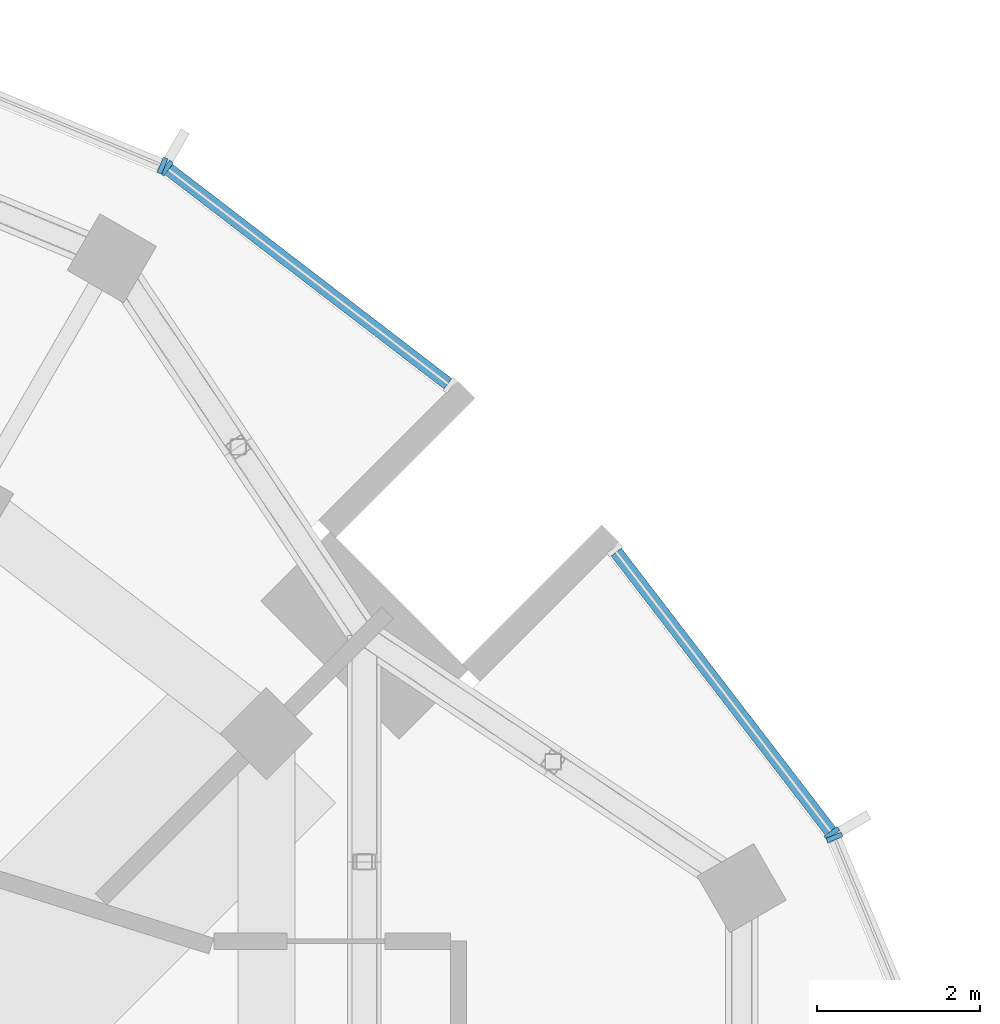
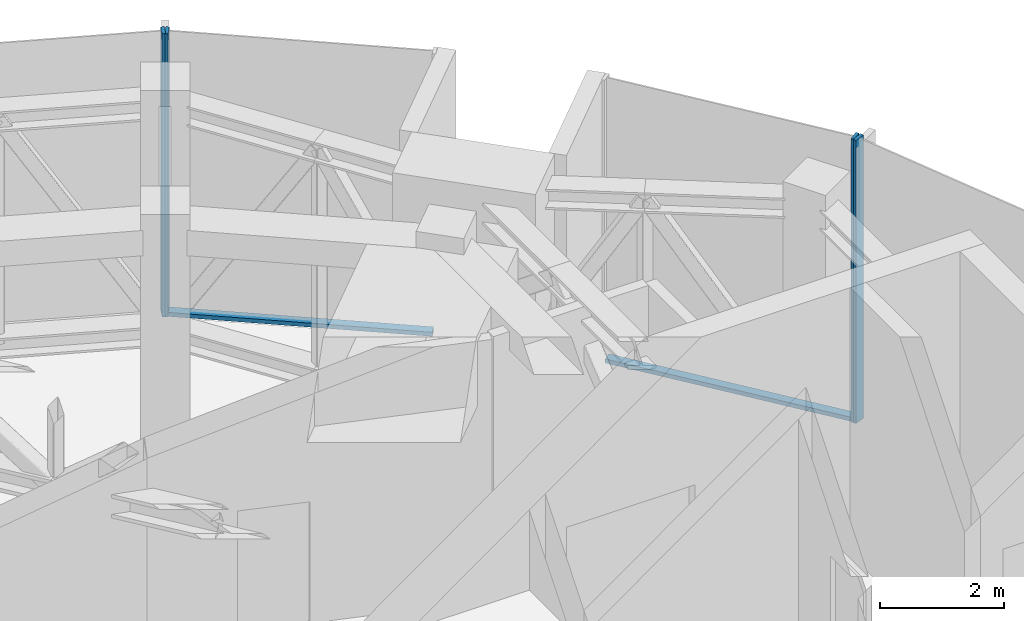
# One storey, part 9 of 17: 6 members, 4 elements without a shape of their own.
"""IFC4 building model written with IfcOpenShell, lengths in metres."""

from ifc_helpers import new_model, si_unit, direction, frame, origin, origin_2d, place, context, subcontext, project, spatial, rectangle, extrude, material, layer, layer_set, material_profile, profile_set, type_object, element, aggregate, save


model = new_model("IFC4")

# Units and contexts
model_context = context("Model", 3, precision=1e-05, world=origin(), true_north=direction((0.0, 1.0)))
body_context = subcontext(model_context, "Body", "Model", "MODEL_VIEW")
ifc_project = project(units=[si_unit("LENGTHUNIT", "METRE"), si_unit("AREAUNIT", "SQUARE_METRE"), si_unit("VOLUMEUNIT", "CUBIC_METRE"), si_unit("PLANEANGLEUNIT", "RADIAN"), si_unit("MASSUNIT", "GRAM", prefix="KILO")], contexts=[model_context])

# Site, building, storey
site_placement = place(None, origin())
site = spatial("IfcSite", under=ifc_project, at=site_placement, CompositionType="ELEMENT")
building_placement = place(site_placement, origin())
building = spatial("IfcBuilding", under=site, at=building_placement, Name="Torre Brocal", CompositionType="ELEMENT")
storey_placement = place(building_placement, frame((0.0, 0.0, 309.300048828125)))
storey = spatial("IfcBuildingStorey", under=building, at=storey_placement, Name="L71", CompositionType="ELEMENT", Elevation=309.300048828125)

# Curtain wall, member
ifc_material_1 = material(Name="Aluminium and glass", Category="aluminium")
ifc_layer = layer(ifc_material_1, 0.199951171875)
ifc_layer_set = layer_set([ifc_layer], Name="Aluminium and glass")
curtain_wall_type = type_object("IfcCurtainWallType", Name="CW-1 CURTAIN WALL 5600 HIGH", PredefinedType="NOTDEFINED", material=ifc_layer_set)
curtain_wall_1_placement = place(storey_placement, origin())
curtain_wall_1 = element("IfcCurtainWall", 1, at=curtain_wall_1_placement, inside=storey, type_object=curtain_wall_type, Name="CW-1 RUN 2", PredefinedType="NOTDEFINED")
ifc_material_2 = material(Name="Aluminium, dark anodised", Category="aluminium")
ifc_material_profile_1 = material_profile(ifc_material_2, rectangle(XDim=0.199951171875, YDim=0.06005859375, at=origin_2d()), Name="CW-1 MULLION 60X200")
ifc_profile_set_1 = profile_set([ifc_material_profile_1], Name="Aluminium, dark anodised")
member_type_1 = type_object("IfcMemberType", Name="CW-1 MULLION 60X200", PredefinedType="MULLION", material=ifc_profile_set_1)
member_1_placement = place(storey_placement, frame((99.40966796875, 86.171875, 0.0), z_axis=(0.0, 0.0, 1.0), x_axis=(-0.923879532545, -0.382683432284, 0.0)))
member_1 = element("IfcMember", 2, at=member_1_placement, type_object=member_type_1, Name="CW1-2 mullion 2", PredefinedType="MULLION", context=body_context, shape_type="SweptSolid", body=[
    extrude(rectangle(XDim=0.199951171875, YDim=0.06005859375, at=origin_2d()), origin(), (0.0, 0.0, 1.0), 5.599853515625),
])
aggregate(curtain_wall_1, [member_1])

curtain_wall_2_placement = place(storey_placement, origin())
curtain_wall_2 = element("IfcCurtainWall", 3, at=curtain_wall_2_placement, inside=storey, type_object=curtain_wall_type, Name="CW-1 RUN 3", PredefinedType="NOTDEFINED")
member_2_placement = place(storey_placement, frame((99.3798828125, 86.223388671875, 0.0), z_axis=(0.0, 0.0, 1.0), x_axis=(-0.793353340249, -0.608761429064, 0.0)))
member_2 = element("IfcMember", 4, at=member_2_placement, type_object=member_type_1, Name="CW1-2 mullion 1", PredefinedType="MULLION", context=body_context, shape_type="SweptSolid", body=[
    extrude(rectangle(XDim=0.199951171875, YDim=0.06005859375, at=origin_2d()), origin(), (0.0, 0.0, 1.0), 5.599853515625),
])

curtain_wall_3_placement = place(storey_placement, origin())
curtain_wall_3 = element("IfcCurtainWall", 5, at=curtain_wall_3_placement, inside=storey, type_object=curtain_wall_type, Name="CW-1 RUN 4", PredefinedType="NOTDEFINED")
member_3_placement = place(storey_placement, frame((91.223388671875, 94.3798828125, 0.0), z_axis=(0.0, 0.0, 1.0), x_axis=(-0.608761429064, -0.793353340249, 0.0)))
member_3 = element("IfcMember", 6, at=member_3_placement, type_object=member_type_1, Name="CW1-2 mullion 2", PredefinedType="MULLION", context=body_context, shape_type="SweptSolid", body=[
    extrude(rectangle(XDim=0.199951171875, YDim=0.06005859375, at=origin_2d()), origin(), (0.0, 0.0, 1.0), 5.599853515625),
])

curtain_wall_4_placement = place(storey_placement, origin())
curtain_wall_4 = element("IfcCurtainWall", 7, at=curtain_wall_4_placement, inside=storey, type_object=curtain_wall_type, Name="CW-1 RUN 5", PredefinedType="NOTDEFINED")
member_4_placement = place(storey_placement, frame((91.171875, 94.40966796875, 0.0), z_axis=(0.0, 0.0, 1.0), x_axis=(-0.382683432284, -0.923879532545, 0.0)))
member_4 = element("IfcMember", 8, at=member_4_placement, type_object=member_type_1, Name="CW1-2 mullion 1", PredefinedType="MULLION", context=body_context, shape_type="SweptSolid", body=[
    extrude(rectangle(XDim=0.199951171875, YDim=0.06005859375, at=origin_2d()), origin(), (0.0, 0.0, 1.0), 5.599853515625),
])
aggregate(curtain_wall_4, [member_4])

# Member
ifc_material_3 = material(Name="Aluminium, dark anodised", Category="aluminium")
ifc_material_profile_2 = material_profile(ifc_material_3, rectangle(XDim=0.159912109375, YDim=0.080078125, at=origin_2d()), Name="CW-1 TRANSOM 160X80")
ifc_profile_set_2 = profile_set([ifc_material_profile_2], Name="Aluminium, dark anodised")
member_type_2 = type_object("IfcMemberType", Name="CW-1 TRANSOM 160X80", PredefinedType="USERDEFINED", material=ifc_profile_set_2)
member_5_placement = place(storey_placement, frame((99.36181640625, 86.2470703125, 0.0400390625), z_axis=(-0.608788976677, 0.793332201462, 0.0), x_axis=(-0.793332201462, -0.608788976677, 0.0)))
member_5 = element("IfcMember", 9, at=member_5_placement, type_object=member_type_2, Name="CW1-2 transom 1.1", ObjectType="TRANSOM", PredefinedType="USERDEFINED", context=body_context, shape_type="SweptSolid", body=[
    extrude(rectangle(XDim=0.159912109375, YDim=0.080078125, at=origin_2d()), origin(), (0.0, 0.0, 1.0), 4.3154296875),
])

aggregate(curtain_wall_2, [member_2, member_5])

member_6_placement = place(storey_placement, frame((94.670654296875, 91.734619140625, 0.0400390625), z_axis=(-0.793332201462, 0.608788976677, 0.0), x_axis=(-0.608788976677, -0.793332201462, 0.0)))
member_6 = element("IfcMember", 10, at=member_6_placement, type_object=member_type_2, Name="CW1-2 transom 1.1", ObjectType="TRANSOM", PredefinedType="USERDEFINED", context=body_context, shape_type="SweptSolid", body=[
    extrude(rectangle(XDim=0.159912109375, YDim=0.080078125, at=origin_2d()), origin(), (0.0, 0.0, 1.0), 4.3154296875),
])

aggregate(curtain_wall_3, [member_3, member_6])

save(model, "model.ifc")
